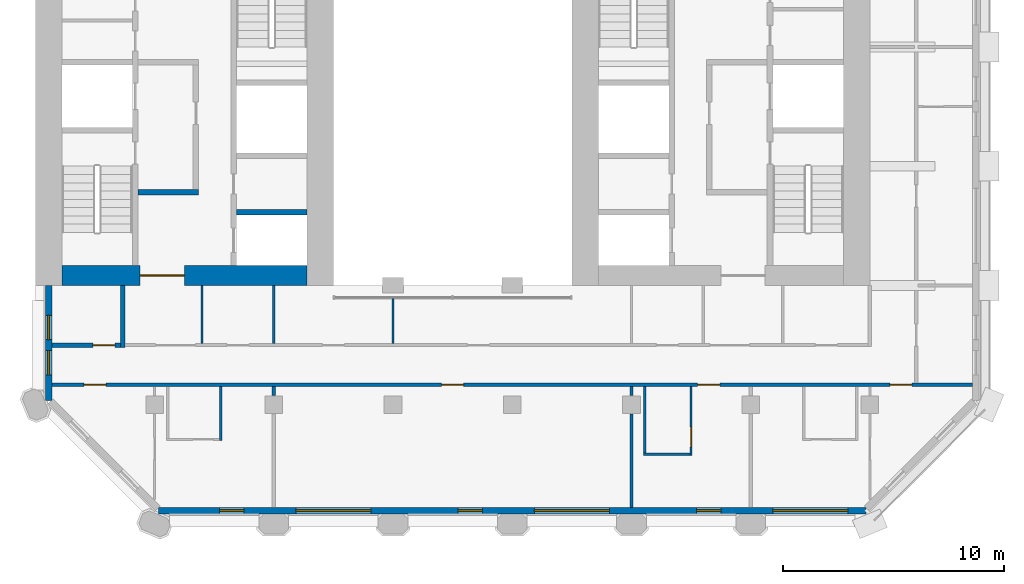
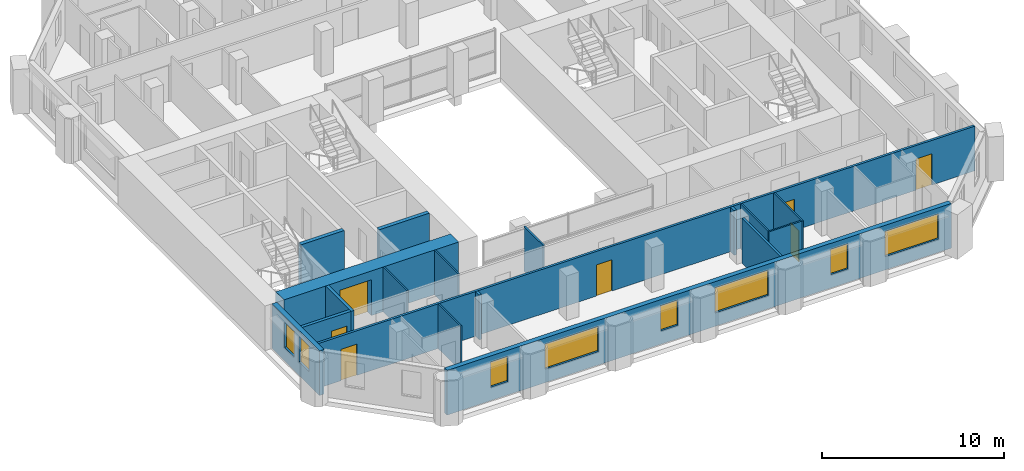
# One storey, part 4 of 12: 18 walls, 8 windows, 7 doors, 15 openings.
"""IFC4 building model written with IfcOpenShell, lengths in metres."""

from ifc_helpers import new_model, si_unit, direction, frame, frame_2d, origin, place, context, subcontext, project, spatial, rectangle, extrude, material, layer, layer_set, type_object, element, fill, save


model = new_model("IFC4")

# Units and contexts
model_context = context("Model", 3, precision=1e-05, world=origin(), true_north=direction((0.0, 1.0)))
body_context = subcontext(model_context, "Body", "Model", "MODEL_VIEW")
ifc_project = project(units=[si_unit("LENGTHUNIT", "METRE"), si_unit("AREAUNIT", "SQUARE_METRE"), si_unit("VOLUMEUNIT", "CUBIC_METRE"), si_unit("PLANEANGLEUNIT", "RADIAN"), si_unit("MASSUNIT", "GRAM", prefix="KILO")], contexts=[model_context])

# Site, building, storey
site_placement = place(None, origin())
site = spatial("IfcSite", under=ifc_project, at=site_placement, CompositionType="ELEMENT")
building_placement = place(site_placement, origin())
building = spatial("IfcBuilding", under=site, at=building_placement, Name="Tabaq Tower and Sports Hall", CompositionType="ELEMENT")
storey_placement = place(building_placement, frame((0.0, 0.0, 190.60009765625)))
storey = spatial("IfcBuildingStorey", under=building, at=storey_placement, Name="L46", CompositionType="ELEMENT", Elevation=190.60009765625)

# Wall, opening, door
ifc_material_1 = material(Name="Concrete C50/60", Category="concrete")
ifc_layer_1 = layer(ifc_material_1, 0.89990234375)
ifc_layer_set_1 = layer_set([ifc_layer_1], Name="Core wall 900 Concrete C50/60")
wall_type_1 = type_object("IfcWallType", Name="Core wall 900 Concrete C50/60", PredefinedType="SOLIDWALL", material=ifc_layer_set_1)
wall_1_placement = place(storey_placement, frame((17.699951171875, 16.64990234375, 0.0), z_axis=(0.0, 0.0, 1.0), x_axis=(-1.0, 0.0, 0.0)))
wall_1 = element("IfcWall", 1, at=wall_1_placement, inside=storey, type_object=wall_type_1, Name="Core wall W L46", PredefinedType="SOLIDWALL", context=body_context, shape_type="SweptSolid", body=[
    extrude(rectangle(XDim=11.099853515625, YDim=0.89990234375, at=frame_2d((5.5498046875, 0.0))), origin(), (0.0, 0.0, 1.0), 3.0),
])
opening_1_placement = place(wall_1_placement, frame((5.550048828125, 0.0, 0.0)))
opening_1 = element("IfcOpeningElement", 2, at=opening_1_placement, cuts=wall_1, Name="Opening PD-WL46-01", PredefinedType="OPENING", context=body_context, shape_type="SweptSolid", body=[
    extrude(rectangle(XDim=2.0, YDim=2.39990234375, at=frame_2d((1.0, 1.199951171875))), frame((0.0, 0.449951171875, 0.0), z_axis=(0.0, -1.0, 0.0), x_axis=(1.0, 0.0, 0.0)), (0.0, 0.0, 1.0), 0.89990234375),
])
ifc_material_2 = material(Name="Steel fire door", Category="steel")
door_type_1 = type_object("IfcDoorType", Name="Core entrance door 2000", OperationType="DOUBLE_DOOR_SINGLE_SWING", PredefinedType="DOOR", material=ifc_material_2)
door_1_placement = place(opening_1_placement, origin())
door_1 = element("IfcDoor", 3, at=door_1_placement, inside=storey, type_object=door_type_1, Name="Core entrance south W L46", OperationType="DOUBLE_DOOR_SINGLE_SWING", OverallHeight=2.39990234375, OverallWidth=2.0, PredefinedType="DOOR", context=body_context, shape_type="SweptSolid", body=[
    extrude(rectangle(XDim=2.0, YDim=2.39990234375, at=frame_2d((1.0, 1.199951171875))), frame((0.0, 0.02490234375, 0.0), z_axis=(0.0, -1.0, 0.0), x_axis=(1.0, 0.0, 0.0)), (0.0, 0.0, 1.0), 0.050048828125),
])
fill(opening_1, door_1)

# Wall
ifc_material_3 = material(Name="Blockwork", Category="masonry")
ifc_layer_2 = layer(ifc_material_3, 0.199951171875)
ifc_layer_set_2 = layer_set([ifc_layer_2], Name="Fire compartment wall 200 Blockwork")
wall_type_2 = type_object("IfcWallType", Name="Fire compartment wall 200 Blockwork", PredefinedType="PARTITIONING", material=ifc_layer_set_2)
wall_2_placement = place(storey_placement, frame((9.35009765625, 16.199951171875, 0.0), z_axis=(0.0, 0.0, 1.0), x_axis=(0.0, -1.0, 0.0)))
element("IfcWall", 4, at=wall_2_placement, inside=storey, type_object=wall_type_2, Name="Compartment wall L46", PredefinedType="PARTITIONING", context=body_context, shape_type="SweptSolid", body=[
    extrude(rectangle(XDim=2.800048828125, YDim=0.199951171875, at=frame_2d((1.39990234375, 0.0))), origin(), (0.0, 0.0, 1.0), 3.0),
])

# Wall, opening, door
wall_3_placement = place(storey_placement, frame((9.25, 13.5, 0.0), z_axis=(0.0, 0.0, 1.0), x_axis=(-1.0, 0.0, 0.0)))
wall_3 = element("IfcWall", 5, at=wall_3_placement, inside=storey, type_object=wall_type_2, Name="Compartment wall L46", PredefinedType="PARTITIONING", context=body_context, shape_type="SweptSolid", body=[
    extrude(rectangle(XDim=3.09912109375, YDim=0.199951171875, at=frame_2d((1.549560546875, 0.0))), origin(), (0.0, 0.0, 1.0), 3.0),
])
opening_2_placement = place(wall_3_placement, frame((0.25, 0.0, 0.0)))
opening_2 = element("IfcOpeningElement", 6, at=opening_2_placement, cuts=wall_3, Name="Opening L46-021", PredefinedType="OPENING", context=body_context, shape_type="SweptSolid", body=[
    extrude(rectangle(XDim=1.0, YDim=2.10009765625, at=frame_2d((0.5, 1.050048828125))), frame((0.0, 0.10009765625, 0.0), z_axis=(0.0, -1.0, 0.0), x_axis=(1.0, 0.0, 0.0)), (0.0, 0.0, 1.0), 0.199951171875),
])
ifc_material_4 = material(Name="Steel fire door", Category="steel")
door_type_2 = type_object("IfcDoorType", Name="Riser door 1000 left hand", OperationType="SINGLE_SWING_LEFT", PredefinedType="DOOR", material=ifc_material_4)
door_2_placement = place(opening_2_placement, origin())
door_2 = element("IfcDoor", 7, at=door_2_placement, inside=storey, type_object=door_type_2, Name="Riser door L46-021", OperationType="SINGLE_SWING_LEFT", OverallHeight=2.10009765625, OverallWidth=1.0, PredefinedType="DOOR", context=body_context, shape_type="SweptSolid", body=[
    extrude(rectangle(XDim=1.0, YDim=2.10009765625, at=frame_2d((0.5, 1.050048828125))), frame((0.0, 0.02490234375, 0.0), z_axis=(0.0, -1.0, 0.0), x_axis=(1.0, 0.0, 0.0)), (0.0, 0.0, 1.0), 0.050048828125),
])
fill(opening_2, door_2)

# Wall
ifc_material_5 = material(Name="Gypsum board on steel studs", Category="steel")
ifc_layer_3 = layer(ifc_material_5, 0.10009765625)
ifc_layer_set_3 = layer_set([ifc_layer_3], Name="Partition 100 Gypsum board")
wall_type_3 = type_object("IfcWallType", Name="Partition 100 Gypsum board", PredefinedType="PARTITIONING", material=ifc_layer_set_3)
wall_4_placement = place(storey_placement, frame((13.800048828125, 11.625, 0.0), z_axis=(0.0, 0.0, 1.0), x_axis=(0.0, -1.0, 0.0)))
element("IfcWall", 8, at=wall_4_placement, inside=storey, type_object=wall_type_3, Name="Partition wall L46", PredefinedType="PARTITIONING", context=body_context, shape_type="SweptSolid", body=[
    extrude(rectangle(XDim=2.449951171875, YDim=0.10009765625, at=frame_2d((1.22509765625, 0.0))), origin(), (0.0, 0.0, 1.0), 3.0),
])

# Wall, opening, door
wall_5_placement = place(storey_placement, frame((35.10009765625, 11.625, 0.0), z_axis=(0.0, 0.0, 1.0), x_axis=(0.0, -1.0, 0.0)))
wall_5 = element("IfcWall", 9, at=wall_5_placement, inside=storey, type_object=wall_type_3, Name="Partition wall L46", PredefinedType="PARTITIONING", context=body_context, shape_type="SweptSolid", body=[
    extrude(rectangle(XDim=3.125, YDim=0.10009765625, at=frame_2d((1.5625, 0.0))), origin(), (0.0, 0.0, 1.0), 3.0),
])
opening_3_placement = place(wall_5_placement, frame((1.83740234375, 0.0, 0.0)))
opening_3 = element("IfcOpeningElement", 10, at=opening_3_placement, cuts=wall_5, Name="Opening L46-016", PredefinedType="OPENING", context=body_context, shape_type="SweptSolid", body=[
    extrude(rectangle(XDim=0.89990234375, YDim=2.10009765625, at=frame_2d((0.449951171875, 1.050048828125))), frame((0.0, 0.050048828125, 0.0), z_axis=(0.0, -1.0, 0.0), x_axis=(1.0, 0.0, 0.0)), (0.0, 0.0, 1.0), 0.10009765625),
])
ifc_material_6 = material(Name="Timber leaf in steel frame", Category="steel")
door_type_3 = type_object("IfcDoorType", Name="Internal door 900 right hand", OperationType="SINGLE_SWING_RIGHT", PredefinedType="DOOR", material=ifc_material_6)
door_3_placement = place(opening_3_placement, origin())
door_3 = element("IfcDoor", 11, at=door_3_placement, inside=storey, type_object=door_type_3, Name="Internal door L46-016", OperationType="SINGLE_SWING_RIGHT", OverallHeight=2.10009765625, OverallWidth=0.89990234375, PredefinedType="DOOR", context=body_context, shape_type="SweptSolid", body=[
    extrude(rectangle(XDim=0.89990234375, YDim=2.10009765625, at=frame_2d((0.449951171875, 1.050048828125))), frame((0.0, 0.02490234375, 0.0), z_axis=(0.0, -1.0, 0.0), x_axis=(1.0, 0.0, 0.0)), (0.0, 0.0, 1.0), 0.050048828125),
])
fill(opening_3, door_3)

# Walls
wall_6_placement = place(storey_placement, frame((35.050048828125, 8.550048828125, 0.0), z_axis=(0.0, 0.0, 1.0), x_axis=(-1.0, 0.0, 0.0)))
element("IfcWall", 12, at=wall_6_placement, inside=storey, type_object=wall_type_3, Name="Partition wall L46", PredefinedType="PARTITIONING", context=body_context, shape_type="SweptSolid", body=[
    extrude(rectangle(XDim=2.10009765625, YDim=0.10009765625, at=frame_2d((1.050048828125, 0.0))), origin(), (0.0, 0.0, 1.0), 3.0),
])
wall_7_placement = place(storey_placement, frame((33.0, 8.60009765625, 0.0), z_axis=(0.0, 0.0, 1.0), x_axis=(0.0, 1.0, 0.0)))
element("IfcWall", 13, at=wall_7_placement, inside=storey, type_object=wall_type_3, Name="Partition wall L46", PredefinedType="PARTITIONING", context=body_context, shape_type="SweptSolid", body=[
    extrude(rectangle(XDim=3.02490234375, YDim=0.10009765625, at=frame_2d((1.512451171875, 0.0))), origin(), (0.0, 0.0, 1.0), 3.0),
])
wall_8_placement = place(storey_placement, frame((16.199951171875, 16.199951171875, 0.0), z_axis=(0.0, 0.0, 1.0), x_axis=(0.0, -1.0, 0.0)))
element("IfcWall", 14, at=wall_8_placement, inside=storey, type_object=wall_type_3, Name="Partition wall L46", PredefinedType="PARTITIONING", context=body_context, shape_type="SweptSolid", body=[
    extrude(rectangle(XDim=2.625, YDim=0.10009765625, at=frame_2d((1.3125, 0.0))), origin(), (0.0, 0.0, 1.0), 3.0),
])
wall_9_placement = place(storey_placement, frame((21.60009765625, 13.574951171875, 0.0), z_axis=(0.0, 0.0, 1.0), x_axis=(0.0, 1.0, 0.0)))
element("IfcWall", 15, at=wall_9_placement, inside=storey, type_object=wall_type_3, Name="Partition wall L46", PredefinedType="PARTITIONING", context=body_context, shape_type="SweptSolid", body=[
    extrude(rectangle(XDim=2.130126953125, YDim=0.10009765625, at=frame_2d((1.06494140625, 0.0))), origin(), (0.0, 0.0, 1.0), 3.0),
])
wall_10_placement = place(storey_placement, frame((12.949951171875, 13.574951171875, 0.0), z_axis=(0.0, 0.0, 1.0), x_axis=(0.0, 1.0, 0.0)))
element("IfcWall", 16, at=wall_10_placement, inside=storey, type_object=wall_type_3, Name="Partition wall L46", PredefinedType="PARTITIONING", context=body_context, shape_type="SweptSolid", body=[
    extrude(rectangle(XDim=2.625, YDim=0.10009765625, at=frame_2d((1.3125, 0.0))), origin(), (0.0, 0.0, 1.0), 3.0),
])
ifc_material_7 = material(Name="Blockwork", Category="masonry")
ifc_layer_4 = layer(ifc_material_7, 0.14990234375)
ifc_layer_set_4 = layer_set([ifc_layer_4], Name="Separating wall 150 Blockwork")
wall_type_4 = type_object("IfcWallType", Name="Separating wall 150 Blockwork", PredefinedType="PARTITIONING", material=ifc_layer_set_4)
wall_11_placement = place(storey_placement, frame((16.199951171875, 11.219970703125, 0.0), z_axis=(0.0, 0.0, 1.0), x_axis=(0.0, 1.0, 0.0)))
element("IfcWall", 17, at=wall_11_placement, inside=storey, type_object=wall_type_4, Name="Separating wall L46", PredefinedType="PARTITIONING", context=body_context, shape_type="SweptSolid", body=[
    extrude(rectangle(XDim=0.405029296875, YDim=0.14990234375, at=frame_2d((0.20263671875, 0.0))), origin(), (0.0, 0.0, 1.0), 3.0),
])
wall_12_placement = place(storey_placement, frame((32.39990234375, 6.15087890625, 0.0), z_axis=(0.0, 0.0, 1.0), x_axis=(0.0, 1.0, 0.0)))
element("IfcWall", 18, at=wall_12_placement, inside=storey, type_object=wall_type_4, Name="Separating wall L46", PredefinedType="PARTITIONING", context=body_context, shape_type="SweptSolid", body=[
    extrude(rectangle(XDim=4.22900390625, YDim=0.14990234375, at=frame_2d((2.114501953125, 0.0))), origin(), (0.0, 0.0, 1.0), 3.0),
])
wall_13_placement = place(storey_placement, frame((32.39990234375, 11.219970703125, 0.0), z_axis=(0.0, 0.0, 1.0), x_axis=(0.0, 1.0, 0.0)))
element("IfcWall", 19, at=wall_13_placement, inside=storey, type_object=wall_type_4, Name="Separating wall L46", PredefinedType="PARTITIONING", context=body_context, shape_type="SweptSolid", body=[
    extrude(rectangle(XDim=0.405029296875, YDim=0.14990234375, at=frame_2d((0.20263671875, 0.0))), origin(), (0.0, 0.0, 1.0), 3.0),
])

# Wall, openings, doors
wall_14_placement = place(storey_placement, frame((6.15087890625, 11.699951171875, 0.0), z_axis=(0.0, 0.0, 1.0), x_axis=(1.0, 0.0, 0.0)))
wall_14 = element("IfcWall", 20, at=wall_14_placement, inside=storey, type_object=wall_type_4, Name="Separating wall L46", PredefinedType="PARTITIONING", context=body_context, shape_type="SweptSolid", body=[
    extrude(rectangle(XDim=41.6982421875, YDim=0.14990234375, at=frame_2d((20.84912109375, 0.0))), origin(), (0.0, 0.0, 1.0), 3.0),
])
opening_4_placement = place(wall_14_placement, frame((17.64892578125, 0.0, 0.0)))
opening_4 = element("IfcOpeningElement", 21, at=opening_4_placement, cuts=wall_14, Name="Opening L46-015", PredefinedType="OPENING", context=body_context, shape_type="SweptSolid", body=[
    extrude(rectangle(XDim=1.0, YDim=2.10009765625, at=frame_2d((0.5, 1.050048828125))), frame((0.0, 0.074951171875, 0.0), z_axis=(0.0, -1.0, 0.0), x_axis=(1.0, 0.0, 0.0)), (0.0, 0.0, 1.0), 0.14990234375),
])
opening_5_placement = place(wall_14_placement, frame((1.448974609375, 0.0, 0.0)))
opening_5 = element("IfcOpeningElement", 22, at=opening_5_placement, cuts=wall_14, Name="Opening L46-035", PredefinedType="OPENING", context=body_context, shape_type="SweptSolid", body=[
    extrude(rectangle(XDim=1.0, YDim=2.10009765625, at=frame_2d((0.5, 1.050048828125))), frame((0.0, 0.074951171875, 0.0), z_axis=(0.0, -1.0, 0.0), x_axis=(1.0, 0.0, 0.0)), (0.0, 0.0, 1.0), 0.14990234375),
])
opening_6_placement = place(wall_14_placement, frame((29.2490234375, 0.0, 0.0)))
opening_6 = element("IfcOpeningElement", 23, at=opening_6_placement, cuts=wall_14, Name="Opening L46-036", PredefinedType="OPENING", context=body_context, shape_type="SweptSolid", body=[
    extrude(rectangle(XDim=1.0, YDim=2.10009765625, at=frame_2d((0.5, 1.050048828125))), frame((0.0, 0.074951171875, 0.0), z_axis=(0.0, -1.0, 0.0), x_axis=(1.0, 0.0, 0.0)), (0.0, 0.0, 1.0), 0.14990234375),
])
opening_7_placement = place(wall_14_placement, frame((37.9541015625, 0.0, 0.0)))
opening_7 = element("IfcOpeningElement", 24, at=opening_7_placement, cuts=wall_14, Name="Opening L46-038", PredefinedType="OPENING", context=body_context, shape_type="SweptSolid", body=[
    extrude(rectangle(XDim=1.0, YDim=2.10009765625, at=frame_2d((0.5, 1.050048828125))), frame((0.0, 0.074951171875, 0.0), z_axis=(0.0, -1.0, 0.0), x_axis=(1.0, 0.0, 0.0)), (0.0, 0.0, 1.0), 0.14990234375),
])
ifc_material_8 = material(Name="Steel fire door", Category="steel")
door_type_4 = type_object("IfcDoorType", Name="Entrance door 1000 right hand", OperationType="SINGLE_SWING_RIGHT", PredefinedType="DOOR", material=ifc_material_8)
door_4_placement = place(opening_5_placement, origin())
door_4 = element("IfcDoor", 25, at=door_4_placement, inside=storey, type_object=door_type_4, Name="Entrance door L46-035", OperationType="SINGLE_SWING_RIGHT", OverallHeight=2.10009765625, OverallWidth=1.0, PredefinedType="DOOR", context=body_context, shape_type="SweptSolid", body=[
    extrude(rectangle(XDim=1.0, YDim=2.10009765625, at=frame_2d((0.5, 1.050048828125))), frame((0.0, 0.02490234375, 0.0), z_axis=(0.0, -1.0, 0.0), x_axis=(1.0, 0.0, 0.0)), (0.0, 0.0, 1.0), 0.050048828125),
])
fill(opening_5, door_4)
door_5_placement = place(opening_6_placement, origin())
door_5 = element("IfcDoor", 26, at=door_5_placement, inside=storey, type_object=door_type_4, Name="Entrance door L46-036", OperationType="SINGLE_SWING_RIGHT", OverallHeight=2.10009765625, OverallWidth=1.0, PredefinedType="DOOR", context=body_context, shape_type="SweptSolid", body=[
    extrude(rectangle(XDim=1.0, YDim=2.10009765625, at=frame_2d((0.5, 1.050048828125))), frame((0.0, 0.02490234375, 0.0), z_axis=(0.0, -1.0, 0.0), x_axis=(1.0, 0.0, 0.0)), (0.0, 0.0, 1.0), 0.050048828125),
])
fill(opening_6, door_5)
door_6_placement = place(opening_7_placement, origin())
door_6 = element("IfcDoor", 27, at=door_6_placement, inside=storey, type_object=door_type_4, Name="Entrance door L46-038", OperationType="SINGLE_SWING_RIGHT", OverallHeight=2.10009765625, OverallWidth=1.0, PredefinedType="DOOR", context=body_context, shape_type="SweptSolid", body=[
    extrude(rectangle(XDim=1.0, YDim=2.10009765625, at=frame_2d((0.5, 1.050048828125))), frame((0.0, 0.02490234375, 0.0), z_axis=(0.0, -1.0, 0.0), x_axis=(1.0, 0.0, 0.0)), (0.0, 0.0, 1.0), 0.050048828125),
])
fill(opening_7, door_6)
ifc_material_9 = material(Name="Timber leaf in steel frame", Category="steel")
door_type_5 = type_object("IfcDoorType", Name="Internal door 1000 left hand", OperationType="SINGLE_SWING_LEFT", PredefinedType="DOOR", material=ifc_material_9)
door_7_placement = place(opening_4_placement, origin())
door_7 = element("IfcDoor", 28, at=door_7_placement, inside=storey, type_object=door_type_5, Name="Internal door L46-015", OperationType="SINGLE_SWING_LEFT", OverallHeight=2.10009765625, OverallWidth=1.0, PredefinedType="DOOR", context=body_context, shape_type="SweptSolid", body=[
    extrude(rectangle(XDim=1.0, YDim=2.10009765625, at=frame_2d((0.5, 1.050048828125))), frame((0.0, 0.02490234375, 0.0), z_axis=(0.0, -1.0, 0.0), x_axis=(1.0, 0.0, 0.0)), (0.0, 0.0, 1.0), 0.050048828125),
])
fill(opening_4, door_7)

# Walls
ifc_material_10 = material(Name="Concrete C40/50", Category="concrete")
ifc_layer_5 = layer(ifc_material_10, 0.25)
ifc_layer_set_5 = layer_set([ifc_layer_5], Name="Shaft and stair wall 250 Concrete C40/50")
wall_type_5 = type_object("IfcWallType", Name="Shaft and stair wall 250 Concrete C40/50", PredefinedType="SOLIDWALL", material=ifc_layer_set_5)
wall_15_placement = place(storey_placement, frame((10.050048828125, 20.425048828125, 0.0), z_axis=(0.0, 0.0, 1.0), x_axis=(1.0, 0.0, 0.0)))
element("IfcWall", 29, at=wall_15_placement, inside=storey, type_object=wall_type_5, Name="Fire-fighting lobby wall W L46", PredefinedType="SOLIDWALL", context=body_context, shape_type="SweptSolid", body=[
    extrude(rectangle(XDim=2.75, YDim=0.25, at=frame_2d((1.375, 0.0))), origin(), (0.0, 0.0, 1.0), 3.0),
])
wall_16_placement = place(storey_placement, frame((14.5, 19.52490234375, 0.0), z_axis=(0.0, 0.0, 1.0), x_axis=(1.0, 0.0, 0.0)))
element("IfcWall", 30, at=wall_16_placement, inside=storey, type_object=wall_type_5, Name="Shaft wall W L46", PredefinedType="SOLIDWALL", context=body_context, shape_type="SweptSolid", body=[
    extrude(rectangle(XDim=3.199951171875, YDim=0.25, at=frame_2d((1.60009765625, 0.0))), origin(), (0.0, 0.0, 1.0), 3.0),
])

# Wall, openings, windows
ifc_material_11 = material(Name="White precast concrete C60/75", Category="concrete")
ifc_layer_6 = layer(ifc_material_11, 0.300048828125)
ifc_layer_set_6 = layer_set([ifc_layer_6], Name="White precast concrete C60/75 external wall 300")
wall_type_6 = type_object("IfcWallType", Name="White precast concrete C60/75 external wall 300", PredefinedType="SOLIDWALL", material=ifc_layer_set_6)
wall_17_placement = place(storey_placement, frame((10.986328125, 6.0, 0.0), z_axis=(0.0, 0.0, 1.0), x_axis=(1.0, 0.0, 0.0)))
wall_17 = element("IfcWall", 31, at=wall_17_placement, inside=storey, type_object=wall_type_6, Name="External Wall L46 S", PredefinedType="SOLIDWALL", context=body_context, shape_type="SweptSolid", body=[
    extrude(rectangle(XDim=32.02734375, YDim=0.300048828125, at=frame_2d((16.013671875, 0.0))), origin(), (0.0, 0.0, 1.0), 3.0),
])
opening_8_placement = place(wall_17_placement, frame((2.763671875, 0.0, 0.89990234375)))
opening_8 = element("IfcOpeningElement", 32, at=opening_8_placement, cuts=wall_17, Name="Opening W1B", PredefinedType="OPENING", context=body_context, shape_type="SweptSolid", body=[
    extrude(rectangle(XDim=1.10009765625, YDim=1.699951171875, at=frame_2d((0.550048828125, 0.85009765625))), frame((0.0, 0.16015625, 0.0), z_axis=(0.0, -1.0, 0.0), x_axis=(1.0, 0.0, 0.0)), (0.0, 0.0, 1.0), 0.320068359375),
])
opening_9_placement = place(wall_17_placement, frame((6.213623046875, 0.0, 0.89990234375)))
opening_9 = element("IfcOpeningElement", 33, at=opening_9_placement, cuts=wall_17, Name="Opening W1A", PredefinedType="OPENING", context=body_context, shape_type="SweptSolid", body=[
    extrude(rectangle(XDim=3.39990234375, YDim=1.699951171875, at=frame_2d((1.699951171875, 0.85009765625))), frame((0.0, 0.16015625, 0.0), z_axis=(0.0, -1.0, 0.0), x_axis=(1.0, 0.0, 0.0)), (0.0, 0.0, 1.0), 0.320068359375),
])
opening_10_placement = place(wall_17_placement, frame((13.563720703125, 0.0, 0.89990234375)))
opening_10 = element("IfcOpeningElement", 34, at=opening_10_placement, cuts=wall_17, Name="Opening W1B", PredefinedType="OPENING", context=body_context, shape_type="SweptSolid", body=[
    extrude(rectangle(XDim=1.10009765625, YDim=1.699951171875, at=frame_2d((0.550048828125, 0.85009765625))), frame((0.0, 0.16015625, 0.0), z_axis=(0.0, -1.0, 0.0), x_axis=(1.0, 0.0, 0.0)), (0.0, 0.0, 1.0), 0.320068359375),
])
opening_11_placement = place(wall_17_placement, frame((17.013671875, 0.0, 0.89990234375)))
opening_11 = element("IfcOpeningElement", 35, at=opening_11_placement, cuts=wall_17, Name="Opening W1A", PredefinedType="OPENING", context=body_context, shape_type="SweptSolid", body=[
    extrude(rectangle(XDim=3.39990234375, YDim=1.699951171875, at=frame_2d((1.699951171875, 0.85009765625))), frame((0.0, 0.16015625, 0.0), z_axis=(0.0, -1.0, 0.0), x_axis=(1.0, 0.0, 0.0)), (0.0, 0.0, 1.0), 0.320068359375),
])
opening_12_placement = place(wall_17_placement, frame((24.363525390625, 0.0, 0.89990234375)))
opening_12 = element("IfcOpeningElement", 36, at=opening_12_placement, cuts=wall_17, Name="Opening W1B", PredefinedType="OPENING", context=body_context, shape_type="SweptSolid", body=[
    extrude(rectangle(XDim=1.10009765625, YDim=1.699951171875, at=frame_2d((0.550048828125, 0.85009765625))), frame((0.0, 0.16015625, 0.0), z_axis=(0.0, -1.0, 0.0), x_axis=(1.0, 0.0, 0.0)), (0.0, 0.0, 1.0), 0.320068359375),
])
opening_13_placement = place(wall_17_placement, frame((27.813720703125, 0.0, 0.89990234375)))
opening_13 = element("IfcOpeningElement", 37, at=opening_13_placement, cuts=wall_17, Name="Opening W1A", PredefinedType="OPENING", context=body_context, shape_type="SweptSolid", body=[
    extrude(rectangle(XDim=3.39990234375, YDim=1.699951171875, at=frame_2d((1.699951171875, 0.85009765625))), frame((0.0, 0.16015625, 0.0), z_axis=(0.0, -1.0, 0.0), x_axis=(1.0, 0.0, 0.0)), (0.0, 0.0, 1.0), 0.320068359375),
])
ifc_material_12 = material(Name="Aluminium framed clear glazing", Category="aluminium")
window_type_1 = type_object("IfcWindowType", Name="Window W1A", PartitioningType="SINGLE_PANEL", PredefinedType="WINDOW", material=ifc_material_12)
window_1_placement = place(opening_9_placement, origin())
window_1 = element("IfcWindow", 38, at=window_1_placement, inside=storey, type_object=window_type_1, Name="Window W1A L46", OverallHeight=1.699951171875, OverallWidth=3.39990234375, PartitioningType="SINGLE_PANEL", PredefinedType="WINDOW", context=body_context, shape_type="SweptSolid", body=[
    extrude(rectangle(XDim=3.39990234375, YDim=1.699951171875, at=frame_2d((1.699951171875, 0.85009765625))), frame((0.0, 0.030029296875, 0.0), z_axis=(0.0, -1.0, 0.0), x_axis=(1.0, 0.0, 0.0)), (0.0, 0.0, 1.0), 0.06005859375),
])
fill(opening_9, window_1)
window_2_placement = place(opening_11_placement, origin())
window_2 = element("IfcWindow", 39, at=window_2_placement, inside=storey, type_object=window_type_1, Name="Window W1A L46", OverallHeight=1.699951171875, OverallWidth=3.39990234375, PartitioningType="SINGLE_PANEL", PredefinedType="WINDOW", context=body_context, shape_type="SweptSolid", body=[
    extrude(rectangle(XDim=3.39990234375, YDim=1.699951171875, at=frame_2d((1.699951171875, 0.85009765625))), frame((0.0, 0.030029296875, 0.0), z_axis=(0.0, -1.0, 0.0), x_axis=(1.0, 0.0, 0.0)), (0.0, 0.0, 1.0), 0.06005859375),
])
fill(opening_11, window_2)
window_3_placement = place(opening_13_placement, origin())
window_3 = element("IfcWindow", 40, at=window_3_placement, inside=storey, type_object=window_type_1, Name="Window W1A L46", OverallHeight=1.699951171875, OverallWidth=3.39990234375, PartitioningType="SINGLE_PANEL", PredefinedType="WINDOW", context=body_context, shape_type="SweptSolid", body=[
    extrude(rectangle(XDim=3.39990234375, YDim=1.699951171875, at=frame_2d((1.699951171875, 0.85009765625))), frame((0.0, 0.030029296875, 0.0), z_axis=(0.0, -1.0, 0.0), x_axis=(1.0, 0.0, 0.0)), (0.0, 0.0, 1.0), 0.06005859375),
])
fill(opening_13, window_3)
ifc_material_13 = material(Name="Aluminium framed clear glazing", Category="aluminium")
window_type_2 = type_object("IfcWindowType", Name="Window W1B", PartitioningType="SINGLE_PANEL", PredefinedType="WINDOW", material=ifc_material_13)
window_4_placement = place(opening_8_placement, origin())
window_4 = element("IfcWindow", 41, at=window_4_placement, inside=storey, type_object=window_type_2, Name="Window W1B L46", OverallHeight=1.699951171875, OverallWidth=1.10009765625, PartitioningType="SINGLE_PANEL", PredefinedType="WINDOW", context=body_context, shape_type="SweptSolid", body=[
    extrude(rectangle(XDim=1.10009765625, YDim=1.699951171875, at=frame_2d((0.550048828125, 0.85009765625))), frame((0.0, 0.030029296875, 0.0), z_axis=(0.0, -1.0, 0.0), x_axis=(1.0, 0.0, 0.0)), (0.0, 0.0, 1.0), 0.06005859375),
])
fill(opening_8, window_4)
window_5_placement = place(opening_10_placement, origin())
window_5 = element("IfcWindow", 42, at=window_5_placement, inside=storey, type_object=window_type_2, Name="Window W1B L46", OverallHeight=1.699951171875, OverallWidth=1.10009765625, PartitioningType="SINGLE_PANEL", PredefinedType="WINDOW", context=body_context, shape_type="SweptSolid", body=[
    extrude(rectangle(XDim=1.10009765625, YDim=1.699951171875, at=frame_2d((0.550048828125, 0.85009765625))), frame((0.0, 0.030029296875, 0.0), z_axis=(0.0, -1.0, 0.0), x_axis=(1.0, 0.0, 0.0)), (0.0, 0.0, 1.0), 0.06005859375),
])
fill(opening_10, window_5)
window_6_placement = place(opening_12_placement, origin())
window_6 = element("IfcWindow", 43, at=window_6_placement, inside=storey, type_object=window_type_2, Name="Window W1B L46", OverallHeight=1.699951171875, OverallWidth=1.10009765625, PartitioningType="SINGLE_PANEL", PredefinedType="WINDOW", context=body_context, shape_type="SweptSolid", body=[
    extrude(rectangle(XDim=1.10009765625, YDim=1.699951171875, at=frame_2d((0.550048828125, 0.85009765625))), frame((0.0, 0.030029296875, 0.0), z_axis=(0.0, -1.0, 0.0), x_axis=(1.0, 0.0, 0.0)), (0.0, 0.0, 1.0), 0.06005859375),
])
fill(opening_12, window_6)

wall_18_placement = place(storey_placement, frame((6.0, 16.199951171875, 0.0), z_axis=(0.0, 0.0, 1.0), x_axis=(0.0, -1.0, 0.0)))
wall_18 = element("IfcWall", 44, at=wall_18_placement, inside=storey, type_object=wall_type_6, Name="External Wall L46 W", PredefinedType="SOLIDWALL", context=body_context, shape_type="SweptSolid", body=[
    extrude(rectangle(XDim=5.213623046875, YDim=0.300048828125, at=frame_2d((2.60693359375, 0.0))), origin(), (0.0, 0.0, 1.0), 3.0),
])
opening_14_placement = place(wall_18_placement, frame((1.35009765625, 0.0, 0.89990234375)))
opening_14 = element("IfcOpeningElement", 45, at=opening_14_placement, cuts=wall_18, Name="Opening W1B", PredefinedType="OPENING", context=body_context, shape_type="SweptSolid", body=[
    extrude(rectangle(XDim=1.10009765625, YDim=1.699951171875, at=frame_2d((0.550048828125, 0.85009765625))), frame((0.0, 0.16015625, 0.0), z_axis=(0.0, -1.0, 0.0), x_axis=(1.0, 0.0, 0.0)), (0.0, 0.0, 1.0), 0.320068359375),
])
opening_15_placement = place(wall_18_placement, frame((2.949951171875, 0.0, 0.89990234375)))
opening_15 = element("IfcOpeningElement", 46, at=opening_15_placement, cuts=wall_18, Name="Opening W1B", PredefinedType="OPENING", context=body_context, shape_type="SweptSolid", body=[
    extrude(rectangle(XDim=1.10009765625, YDim=1.699951171875, at=frame_2d((0.550048828125, 0.85009765625))), frame((0.0, 0.16015625, 0.0), z_axis=(0.0, -1.0, 0.0), x_axis=(1.0, 0.0, 0.0)), (0.0, 0.0, 1.0), 0.320068359375),
])
window_7_placement = place(opening_14_placement, origin())
window_7 = element("IfcWindow", 47, at=window_7_placement, inside=storey, type_object=window_type_2, Name="Window W1B L46", OverallHeight=1.699951171875, OverallWidth=1.10009765625, PartitioningType="SINGLE_PANEL", PredefinedType="WINDOW", context=body_context, shape_type="SweptSolid", body=[
    extrude(rectangle(XDim=1.10009765625, YDim=1.699951171875, at=frame_2d((0.550048828125, 0.85009765625))), frame((0.0, 0.030029296875, 0.0), z_axis=(0.0, -1.0, 0.0), x_axis=(1.0, 0.0, 0.0)), (0.0, 0.0, 1.0), 0.06005859375),
])
fill(opening_14, window_7)
window_8_placement = place(opening_15_placement, origin())
window_8 = element("IfcWindow", 48, at=window_8_placement, inside=storey, type_object=window_type_2, Name="Window W1B L46", OverallHeight=1.699951171875, OverallWidth=1.10009765625, PartitioningType="SINGLE_PANEL", PredefinedType="WINDOW", context=body_context, shape_type="SweptSolid", body=[
    extrude(rectangle(XDim=1.10009765625, YDim=1.699951171875, at=frame_2d((0.550048828125, 0.85009765625))), frame((0.0, 0.030029296875, 0.0), z_axis=(0.0, -1.0, 0.0), x_axis=(1.0, 0.0, 0.0)), (0.0, 0.0, 1.0), 0.06005859375),
])
fill(opening_15, window_8)

save(model, "model.ifc")
